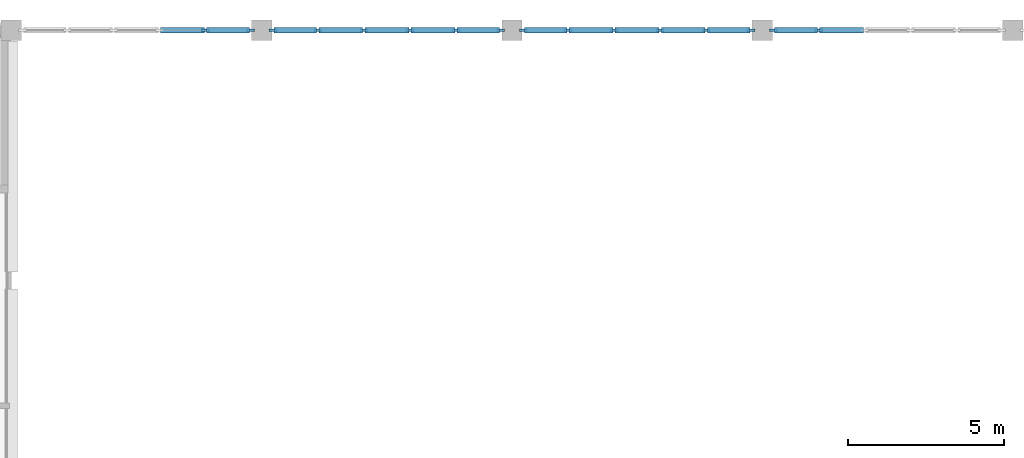
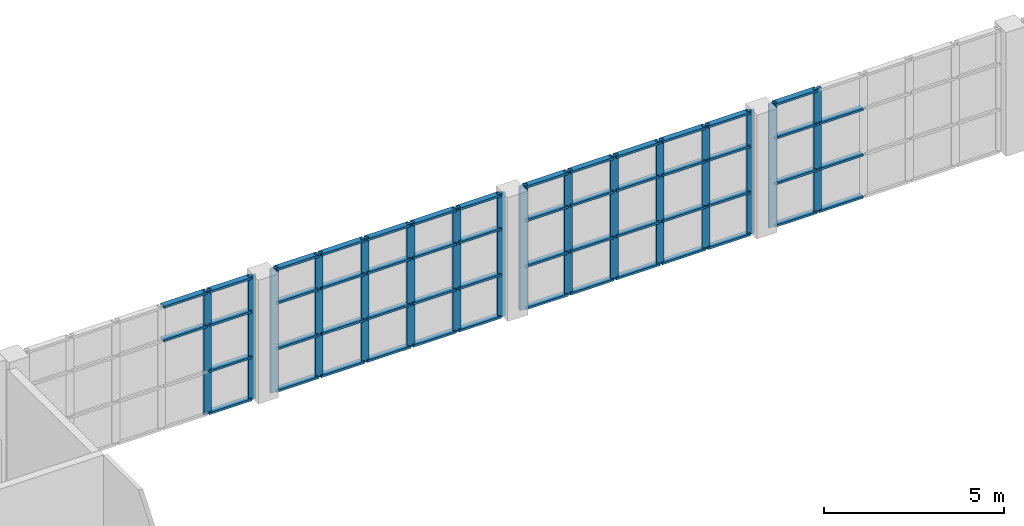
# One storey, part 18 of 66: 69 members, 4 elements without a shape of their own.
"""IFC4 building model written with IfcOpenShell, lengths in metres."""

from ifc_helpers import new_model, si_unit, direction, frame, origin, origin_2d, place, context, subcontext, project, spatial, rectangle, extrude, material, layer, layer_set, material_profile, profile_set, type_object, element, aggregate, save


model = new_model("IFC4")

# Units and contexts
model_context = context("Model", 3, precision=1e-05, world=origin(), true_north=direction((0.0, 1.0)))
body_context = subcontext(model_context, "Body", "Model", "MODEL_VIEW")
ifc_project = project(units=[si_unit("LENGTHUNIT", "METRE"), si_unit("AREAUNIT", "SQUARE_METRE"), si_unit("VOLUMEUNIT", "CUBIC_METRE"), si_unit("PLANEANGLEUNIT", "RADIAN"), si_unit("MASSUNIT", "GRAM", prefix="KILO")], contexts=[model_context])

# Site, building, storey
site_placement = place(None, origin())
site = spatial("IfcSite", under=ifc_project, at=site_placement, CompositionType="ELEMENT")
building_placement = place(site_placement, origin())
building = spatial("IfcBuilding", under=site, at=building_placement, Name="Drelvana Railside Aquatics Centre", CompositionType="ELEMENT")
storey_placement = place(building_placement, frame((0.0, 0.0, 10.199951171875)))
storey = spatial("IfcBuildingStorey", under=building, at=storey_placement, Name="L02", CompositionType="ELEMENT", Elevation=10.199951171875)

# Curtain wall, members
ifc_material_1 = material(Name="Bronze-anodised aluminium curtain wall", Category="aluminium")
ifc_layer = layer(ifc_material_1, 0.219970703125, Name="Bronze-anodised aluminium curtain wall")
ifc_layer_set = layer_set([ifc_layer], Name="Bronze-anodised aluminium curtain wall")
curtain_wall_type = type_object("IfcCurtainWallType", Name="CW-Z3-HIGH", PredefinedType="NOTDEFINED", material=ifc_layer_set)
curtain_wall_1_placement = place(storey_placement, origin())
curtain_wall_1 = element("IfcCurtainWall", 1, at=curtain_wall_1_placement, inside=storey, type_object=curtain_wall_type, Name="Curtain wall CW-03-030", PredefinedType="NOTDEFINED")
ifc_material_2 = material(Name="Bronze-anodised aluminium 6063-T6", Category="aluminium")
ifc_material_profile_1 = material_profile(ifc_material_2, rectangle(XDim=0.080078125, YDim=0.25, at=origin_2d()), Name="ALU-M 80x250")
ifc_profile_set_1 = profile_set([ifc_material_profile_1], Name="Bronze-anodised aluminium 6063-T6")
member_type_1 = type_object("IfcMemberType", Name="CW-Z3-HIGH-MUL", PredefinedType="MULLION", material=ifc_profile_set_1)
member_1_placement = place(storey_placement, frame((38.20849609375, 116.0, -0.005859375), z_axis=(0.0, 0.0, 1.0), x_axis=(0.0, 1.0, 0.0)))
member_1 = element("IfcMember", 2, at=member_1_placement, type_object=member_type_1, Name="CW-03 mullion 5", PredefinedType="MULLION", context=body_context, shape_type="SweptSolid", body=[
    extrude(rectangle(XDim=0.080078125, YDim=0.25, at=origin_2d()), origin(), (0.0, 0.0, 1.0), 4.19580078125),
])
member_2_placement = place(storey_placement, frame((39.64111328125, 116.0, -0.005859375), z_axis=(0.0, 0.0, 1.0), x_axis=(0.0, 1.0, 0.0)))
member_2 = element("IfcMember", 3, at=member_2_placement, type_object=member_type_1, Name="CW-03 mullion 6", PredefinedType="MULLION", context=body_context, shape_type="SweptSolid", body=[
    extrude(rectangle(XDim=0.080078125, YDim=0.25, at=origin_2d()), origin(), (0.0, 0.0, 1.0), 4.19580078125),
])

curtain_wall_2_placement = place(storey_placement, origin())
curtain_wall_2 = element("IfcCurtainWall", 4, at=curtain_wall_2_placement, inside=storey, type_object=curtain_wall_type, Name="Curtain wall CW-03-033", PredefinedType="NOTDEFINED")
member_3_placement = place(storey_placement, frame((40.35888671875, 116.0, -0.005859375), z_axis=(0.0, 0.0, 1.0), x_axis=(0.0, 1.0, 0.0)))
member_3 = element("IfcMember", 5, at=member_3_placement, type_object=member_type_1, Name="CW-03 mullion 1", PredefinedType="MULLION", context=body_context, shape_type="SweptSolid", body=[
    extrude(rectangle(XDim=0.080078125, YDim=0.25, at=origin_2d()), origin(), (0.0, 0.0, 1.0), 4.19580078125),
])
member_4_placement = place(storey_placement, frame((41.79150390625, 116.0, -0.005859375), z_axis=(0.0, 0.0, 1.0), x_axis=(0.0, 1.0, 0.0)))
member_4 = element("IfcMember", 6, at=member_4_placement, type_object=member_type_1, Name="CW-03 mullion 2", PredefinedType="MULLION", context=body_context, shape_type="SweptSolid", body=[
    extrude(rectangle(XDim=0.080078125, YDim=0.25, at=origin_2d()), origin(), (0.0, 0.0, 1.0), 4.19580078125),
])
member_5_placement = place(storey_placement, frame((43.263916015625, 116.0, -0.005859375), z_axis=(0.0, 0.0, 1.0), x_axis=(0.0, 1.0, 0.0)))
member_5 = element("IfcMember", 7, at=member_5_placement, type_object=member_type_1, Name="CW-03 mullion 3", PredefinedType="MULLION", context=body_context, shape_type="SweptSolid", body=[
    extrude(rectangle(XDim=0.080078125, YDim=0.25, at=origin_2d()), origin(), (0.0, 0.0, 1.0), 4.19580078125),
])
member_6_placement = place(storey_placement, frame((44.736083984375, 116.0, -0.005859375), z_axis=(0.0, 0.0, 1.0), x_axis=(0.0, 1.0, 0.0)))
member_6 = element("IfcMember", 8, at=member_6_placement, type_object=member_type_1, Name="CW-03 mullion 4", PredefinedType="MULLION", context=body_context, shape_type="SweptSolid", body=[
    extrude(rectangle(XDim=0.080078125, YDim=0.25, at=origin_2d()), origin(), (0.0, 0.0, 1.0), 4.19580078125),
])
member_7_placement = place(storey_placement, frame((46.20849609375, 116.0, -0.005859375), z_axis=(0.0, 0.0, 1.0), x_axis=(0.0, 1.0, 0.0)))
member_7 = element("IfcMember", 9, at=member_7_placement, type_object=member_type_1, Name="CW-03 mullion 5", PredefinedType="MULLION", context=body_context, shape_type="SweptSolid", body=[
    extrude(rectangle(XDim=0.080078125, YDim=0.25, at=origin_2d()), origin(), (0.0, 0.0, 1.0), 4.19580078125),
])
member_8_placement = place(storey_placement, frame((47.64111328125, 116.0, -0.005859375), z_axis=(0.0, 0.0, 1.0), x_axis=(0.0, 1.0, 0.0)))
member_8 = element("IfcMember", 10, at=member_8_placement, type_object=member_type_1, Name="CW-03 mullion 6", PredefinedType="MULLION", context=body_context, shape_type="SweptSolid", body=[
    extrude(rectangle(XDim=0.080078125, YDim=0.25, at=origin_2d()), origin(), (0.0, 0.0, 1.0), 4.19580078125),
])

curtain_wall_3_placement = place(storey_placement, origin())
curtain_wall_3 = element("IfcCurtainWall", 11, at=curtain_wall_3_placement, inside=storey, type_object=curtain_wall_type, Name="Curtain wall CW-03-036", PredefinedType="NOTDEFINED")
member_9_placement = place(storey_placement, frame((48.35888671875, 116.0, -0.005859375), z_axis=(0.0, 0.0, 1.0), x_axis=(0.0, 1.0, 0.0)))
member_9 = element("IfcMember", 12, at=member_9_placement, type_object=member_type_1, Name="CW-03 mullion 1", PredefinedType="MULLION", context=body_context, shape_type="SweptSolid", body=[
    extrude(rectangle(XDim=0.080078125, YDim=0.25, at=origin_2d()), origin(), (0.0, 0.0, 1.0), 4.19580078125),
])
member_10_placement = place(storey_placement, frame((49.79150390625, 116.0, -0.005859375), z_axis=(0.0, 0.0, 1.0), x_axis=(0.0, 1.0, 0.0)))
member_10 = element("IfcMember", 13, at=member_10_placement, type_object=member_type_1, Name="CW-03 mullion 2", PredefinedType="MULLION", context=body_context, shape_type="SweptSolid", body=[
    extrude(rectangle(XDim=0.080078125, YDim=0.25, at=origin_2d()), origin(), (0.0, 0.0, 1.0), 4.19580078125),
])
member_11_placement = place(storey_placement, frame((51.263916015625, 116.0, -0.005859375), z_axis=(0.0, 0.0, 1.0), x_axis=(0.0, 1.0, 0.0)))
member_11 = element("IfcMember", 14, at=member_11_placement, type_object=member_type_1, Name="CW-03 mullion 3", PredefinedType="MULLION", context=body_context, shape_type="SweptSolid", body=[
    extrude(rectangle(XDim=0.080078125, YDim=0.25, at=origin_2d()), origin(), (0.0, 0.0, 1.0), 4.19580078125),
])
member_12_placement = place(storey_placement, frame((52.736083984375, 116.0, -0.005859375), z_axis=(0.0, 0.0, 1.0), x_axis=(0.0, 1.0, 0.0)))
member_12 = element("IfcMember", 15, at=member_12_placement, type_object=member_type_1, Name="CW-03 mullion 4", PredefinedType="MULLION", context=body_context, shape_type="SweptSolid", body=[
    extrude(rectangle(XDim=0.080078125, YDim=0.25, at=origin_2d()), origin(), (0.0, 0.0, 1.0), 4.19580078125),
])
member_13_placement = place(storey_placement, frame((54.20849609375, 116.0, -0.005859375), z_axis=(0.0, 0.0, 1.0), x_axis=(0.0, 1.0, 0.0)))
member_13 = element("IfcMember", 16, at=member_13_placement, type_object=member_type_1, Name="CW-03 mullion 5", PredefinedType="MULLION", context=body_context, shape_type="SweptSolid", body=[
    extrude(rectangle(XDim=0.080078125, YDim=0.25, at=origin_2d()), origin(), (0.0, 0.0, 1.0), 4.19580078125),
])
member_14_placement = place(storey_placement, frame((55.64111328125, 116.0, -0.005859375), z_axis=(0.0, 0.0, 1.0), x_axis=(0.0, 1.0, 0.0)))
member_14 = element("IfcMember", 17, at=member_14_placement, type_object=member_type_1, Name="CW-03 mullion 6", PredefinedType="MULLION", context=body_context, shape_type="SweptSolid", body=[
    extrude(rectangle(XDim=0.080078125, YDim=0.25, at=origin_2d()), origin(), (0.0, 0.0, 1.0), 4.19580078125),
])

curtain_wall_4_placement = place(storey_placement, origin())
curtain_wall_4 = element("IfcCurtainWall", 18, at=curtain_wall_4_placement, inside=storey, type_object=curtain_wall_type, Name="Curtain wall CW-03-039", PredefinedType="NOTDEFINED")
member_15_placement = place(storey_placement, frame((56.35888671875, 116.0, -0.005859375), z_axis=(0.0, 0.0, 1.0), x_axis=(0.0, 1.0, 0.0)))
member_15 = element("IfcMember", 19, at=member_15_placement, type_object=member_type_1, Name="CW-03 mullion 1", PredefinedType="MULLION", context=body_context, shape_type="SweptSolid", body=[
    extrude(rectangle(XDim=0.080078125, YDim=0.25, at=origin_2d()), origin(), (0.0, 0.0, 1.0), 4.19580078125),
])
member_16_placement = place(storey_placement, frame((57.79150390625, 116.0, -0.005859375), z_axis=(0.0, 0.0, 1.0), x_axis=(0.0, 1.0, 0.0)))
member_16 = element("IfcMember", 20, at=member_16_placement, type_object=member_type_1, Name="CW-03 mullion 2", PredefinedType="MULLION", context=body_context, shape_type="SweptSolid", body=[
    extrude(rectangle(XDim=0.080078125, YDim=0.25, at=origin_2d()), origin(), (0.0, 0.0, 1.0), 4.19580078125),
])

# Member
ifc_material_profile_2 = material_profile(ifc_material_2, rectangle(XDim=0.179931640625, YDim=0.074951171875, at=origin_2d()), Name="ALU-T 75x180")
ifc_profile_set_2 = profile_set([ifc_material_profile_2], Name="Bronze-anodised aluminium 6063-T6")
member_type_2 = type_object("IfcMemberType", Name="CW-Z3-HIGH-TRN", PredefinedType="USERDEFINED", material=ifc_profile_set_2)
member_17_placement = place(storey_placement, frame((36.771240234375, 116.0, 3.01513671875), z_axis=(1.0, 0.0, 0.0), x_axis=(0.0, 1.0, 0.0)))
member_17 = element("IfcMember", 21, at=member_17_placement, type_object=member_type_2, Name="CW-03 transom 4.3", ObjectType="TRANSOM", PredefinedType="USERDEFINED", context=body_context, shape_type="SweptSolid", body=[
    extrude(rectangle(XDim=0.179931640625, YDim=0.074951171875, at=origin_2d()), origin(), (0.0, 0.0, 1.0), 1.40234375),
])

member_18_placement = place(storey_placement, frame((36.771240234375, 116.0, 4.152587890625), z_axis=(1.0, 0.0, 0.0), x_axis=(0.0, 1.0, 0.0)))
member_18 = element("IfcMember", 22, at=member_18_placement, type_object=member_type_2, Name="CW-03 transom 4.4", ObjectType="TRANSOM", PredefinedType="USERDEFINED", context=body_context, shape_type="SweptSolid", body=[
    extrude(rectangle(XDim=0.179931640625, YDim=0.074951171875, at=origin_2d()), origin(), (0.0, 0.0, 1.0), 1.40234375),
])

member_19_placement = place(storey_placement, frame((38.24365234375, 116.0, 0.031494140625), z_axis=(1.0, 0.0, 0.0), x_axis=(0.0, 1.0, 0.0)))
member_19 = element("IfcMember", 23, at=member_19_placement, type_object=member_type_2, Name="CW-03 transom 5.1", ObjectType="TRANSOM", PredefinedType="USERDEFINED", context=body_context, shape_type="SweptSolid", body=[
    extrude(rectangle(XDim=0.179931640625, YDim=0.074951171875, at=origin_2d()), origin(), (0.0, 0.0, 1.0), 1.3623046875),
])

member_20_placement = place(storey_placement, frame((38.24365234375, 116.0, 1.463134765625), z_axis=(1.0, 0.0, 0.0), x_axis=(0.0, 1.0, 0.0)))
member_20 = element("IfcMember", 24, at=member_20_placement, type_object=member_type_2, Name="CW-03 transom 5.2", ObjectType="TRANSOM", PredefinedType="USERDEFINED", context=body_context, shape_type="SweptSolid", body=[
    extrude(rectangle(XDim=0.179931640625, YDim=0.074951171875, at=origin_2d()), origin(), (0.0, 0.0, 1.0), 1.3623046875),
])

member_21_placement = place(storey_placement, frame((38.24365234375, 116.0, 3.01513671875), z_axis=(1.0, 0.0, 0.0), x_axis=(0.0, 1.0, 0.0)))
member_21 = element("IfcMember", 25, at=member_21_placement, type_object=member_type_2, Name="CW-03 transom 5.3", ObjectType="TRANSOM", PredefinedType="USERDEFINED", context=body_context, shape_type="SweptSolid", body=[
    extrude(rectangle(XDim=0.179931640625, YDim=0.074951171875, at=origin_2d()), origin(), (0.0, 0.0, 1.0), 1.3623046875),
])

member_22_placement = place(storey_placement, frame((38.24365234375, 116.0, 4.152587890625), z_axis=(1.0, 0.0, 0.0), x_axis=(0.0, 1.0, 0.0)))
member_22 = element("IfcMember", 26, at=member_22_placement, type_object=member_type_2, Name="CW-03 transom 5.4", ObjectType="TRANSOM", PredefinedType="USERDEFINED", context=body_context, shape_type="SweptSolid", body=[
    extrude(rectangle(XDim=0.179931640625, YDim=0.074951171875, at=origin_2d()), origin(), (0.0, 0.0, 1.0), 1.3623046875),
])

aggregate(curtain_wall_1, [member_1, member_2, member_17, member_18, member_19, member_20, member_21, member_22])

member_23_placement = place(storey_placement, frame((40.39404296875, 116.0, 0.031494140625), z_axis=(1.0, 0.0, 0.0), x_axis=(0.0, 1.0, 0.0)))
member_23 = element("IfcMember", 27, at=member_23_placement, type_object=member_type_2, Name="CW-03 transom 1.1", ObjectType="TRANSOM", PredefinedType="USERDEFINED", context=body_context, shape_type="SweptSolid", body=[
    extrude(rectangle(XDim=0.179931640625, YDim=0.074951171875, at=origin_2d()), origin(), (0.0, 0.0, 1.0), 1.3623046875),
])

member_24_placement = place(storey_placement, frame((40.39404296875, 116.0, 1.463134765625), z_axis=(1.0, 0.0, 0.0), x_axis=(0.0, 1.0, 0.0)))
member_24 = element("IfcMember", 28, at=member_24_placement, type_object=member_type_2, Name="CW-03 transom 1.2", ObjectType="TRANSOM", PredefinedType="USERDEFINED", context=body_context, shape_type="SweptSolid", body=[
    extrude(rectangle(XDim=0.179931640625, YDim=0.074951171875, at=origin_2d()), origin(), (0.0, 0.0, 1.0), 1.3623046875),
])

member_25_placement = place(storey_placement, frame((40.39404296875, 116.0, 3.01513671875), z_axis=(1.0, 0.0, 0.0), x_axis=(0.0, 1.0, 0.0)))
member_25 = element("IfcMember", 29, at=member_25_placement, type_object=member_type_2, Name="CW-03 transom 1.3", ObjectType="TRANSOM", PredefinedType="USERDEFINED", context=body_context, shape_type="SweptSolid", body=[
    extrude(rectangle(XDim=0.179931640625, YDim=0.074951171875, at=origin_2d()), origin(), (0.0, 0.0, 1.0), 1.3623046875),
])

member_26_placement = place(storey_placement, frame((40.39404296875, 116.0, 4.152587890625), z_axis=(1.0, 0.0, 0.0), x_axis=(0.0, 1.0, 0.0)))
member_26 = element("IfcMember", 30, at=member_26_placement, type_object=member_type_2, Name="CW-03 transom 1.4", ObjectType="TRANSOM", PredefinedType="USERDEFINED", context=body_context, shape_type="SweptSolid", body=[
    extrude(rectangle(XDim=0.179931640625, YDim=0.074951171875, at=origin_2d()), origin(), (0.0, 0.0, 1.0), 1.3623046875),
])

member_27_placement = place(storey_placement, frame((41.826416015625, 116.0, 0.031494140625), z_axis=(1.0, 0.0, 0.0), x_axis=(0.0, 1.0, 0.0)))
member_27 = element("IfcMember", 31, at=member_27_placement, type_object=member_type_2, Name="CW-03 transom 2.1", ObjectType="TRANSOM", PredefinedType="USERDEFINED", context=body_context, shape_type="SweptSolid", body=[
    extrude(rectangle(XDim=0.179931640625, YDim=0.074951171875, at=origin_2d()), origin(), (0.0, 0.0, 1.0), 1.40234375),
])

member_28_placement = place(storey_placement, frame((41.826416015625, 116.0, 1.463134765625), z_axis=(1.0, 0.0, 0.0), x_axis=(0.0, 1.0, 0.0)))
member_28 = element("IfcMember", 32, at=member_28_placement, type_object=member_type_2, Name="CW-03 transom 2.2", ObjectType="TRANSOM", PredefinedType="USERDEFINED", context=body_context, shape_type="SweptSolid", body=[
    extrude(rectangle(XDim=0.179931640625, YDim=0.074951171875, at=origin_2d()), origin(), (0.0, 0.0, 1.0), 1.40234375),
])

member_29_placement = place(storey_placement, frame((41.826416015625, 116.0, 3.01513671875), z_axis=(1.0, 0.0, 0.0), x_axis=(0.0, 1.0, 0.0)))
member_29 = element("IfcMember", 33, at=member_29_placement, type_object=member_type_2, Name="CW-03 transom 2.3", ObjectType="TRANSOM", PredefinedType="USERDEFINED", context=body_context, shape_type="SweptSolid", body=[
    extrude(rectangle(XDim=0.179931640625, YDim=0.074951171875, at=origin_2d()), origin(), (0.0, 0.0, 1.0), 1.40234375),
])

member_30_placement = place(storey_placement, frame((41.826416015625, 116.0, 4.152587890625), z_axis=(1.0, 0.0, 0.0), x_axis=(0.0, 1.0, 0.0)))
member_30 = element("IfcMember", 34, at=member_30_placement, type_object=member_type_2, Name="CW-03 transom 2.4", ObjectType="TRANSOM", PredefinedType="USERDEFINED", context=body_context, shape_type="SweptSolid", body=[
    extrude(rectangle(XDim=0.179931640625, YDim=0.074951171875, at=origin_2d()), origin(), (0.0, 0.0, 1.0), 1.40234375),
])

member_31_placement = place(storey_placement, frame((43.298828125, 116.0, 0.031494140625), z_axis=(1.0, 0.0, 0.0), x_axis=(0.0, 1.0, 0.0)))
member_31 = element("IfcMember", 35, at=member_31_placement, type_object=member_type_2, Name="CW-03 transom 3.1", ObjectType="TRANSOM", PredefinedType="USERDEFINED", context=body_context, shape_type="SweptSolid", body=[
    extrude(rectangle(XDim=0.179931640625, YDim=0.074951171875, at=origin_2d()), origin(), (0.0, 0.0, 1.0), 1.40234375),
])

member_32_placement = place(storey_placement, frame((43.298828125, 116.0, 1.463134765625), z_axis=(1.0, 0.0, 0.0), x_axis=(0.0, 1.0, 0.0)))
member_32 = element("IfcMember", 36, at=member_32_placement, type_object=member_type_2, Name="CW-03 transom 3.2", ObjectType="TRANSOM", PredefinedType="USERDEFINED", context=body_context, shape_type="SweptSolid", body=[
    extrude(rectangle(XDim=0.179931640625, YDim=0.074951171875, at=origin_2d()), origin(), (0.0, 0.0, 1.0), 1.40234375),
])

member_33_placement = place(storey_placement, frame((43.298828125, 116.0, 3.01513671875), z_axis=(1.0, 0.0, 0.0), x_axis=(0.0, 1.0, 0.0)))
member_33 = element("IfcMember", 37, at=member_33_placement, type_object=member_type_2, Name="CW-03 transom 3.3", ObjectType="TRANSOM", PredefinedType="USERDEFINED", context=body_context, shape_type="SweptSolid", body=[
    extrude(rectangle(XDim=0.179931640625, YDim=0.074951171875, at=origin_2d()), origin(), (0.0, 0.0, 1.0), 1.40234375),
])

member_34_placement = place(storey_placement, frame((43.298828125, 116.0, 4.152587890625), z_axis=(1.0, 0.0, 0.0), x_axis=(0.0, 1.0, 0.0)))
member_34 = element("IfcMember", 38, at=member_34_placement, type_object=member_type_2, Name="CW-03 transom 3.4", ObjectType="TRANSOM", PredefinedType="USERDEFINED", context=body_context, shape_type="SweptSolid", body=[
    extrude(rectangle(XDim=0.179931640625, YDim=0.074951171875, at=origin_2d()), origin(), (0.0, 0.0, 1.0), 1.40234375),
])

member_35_placement = place(storey_placement, frame((44.771240234375, 116.0, 0.031494140625), z_axis=(1.0, 0.0, 0.0), x_axis=(0.0, 1.0, 0.0)))
member_35 = element("IfcMember", 39, at=member_35_placement, type_object=member_type_2, Name="CW-03 transom 4.1", ObjectType="TRANSOM", PredefinedType="USERDEFINED", context=body_context, shape_type="SweptSolid", body=[
    extrude(rectangle(XDim=0.179931640625, YDim=0.074951171875, at=origin_2d()), origin(), (0.0, 0.0, 1.0), 1.40234375),
])

member_36_placement = place(storey_placement, frame((44.771240234375, 116.0, 1.463134765625), z_axis=(1.0, 0.0, 0.0), x_axis=(0.0, 1.0, 0.0)))
member_36 = element("IfcMember", 40, at=member_36_placement, type_object=member_type_2, Name="CW-03 transom 4.2", ObjectType="TRANSOM", PredefinedType="USERDEFINED", context=body_context, shape_type="SweptSolid", body=[
    extrude(rectangle(XDim=0.179931640625, YDim=0.074951171875, at=origin_2d()), origin(), (0.0, 0.0, 1.0), 1.40234375),
])

member_37_placement = place(storey_placement, frame((44.771240234375, 116.0, 3.01513671875), z_axis=(1.0, 0.0, 0.0), x_axis=(0.0, 1.0, 0.0)))
member_37 = element("IfcMember", 41, at=member_37_placement, type_object=member_type_2, Name="CW-03 transom 4.3", ObjectType="TRANSOM", PredefinedType="USERDEFINED", context=body_context, shape_type="SweptSolid", body=[
    extrude(rectangle(XDim=0.179931640625, YDim=0.074951171875, at=origin_2d()), origin(), (0.0, 0.0, 1.0), 1.40234375),
])

member_38_placement = place(storey_placement, frame((44.771240234375, 116.0, 4.152587890625), z_axis=(1.0, 0.0, 0.0), x_axis=(0.0, 1.0, 0.0)))
member_38 = element("IfcMember", 42, at=member_38_placement, type_object=member_type_2, Name="CW-03 transom 4.4", ObjectType="TRANSOM", PredefinedType="USERDEFINED", context=body_context, shape_type="SweptSolid", body=[
    extrude(rectangle(XDim=0.179931640625, YDim=0.074951171875, at=origin_2d()), origin(), (0.0, 0.0, 1.0), 1.40234375),
])

member_39_placement = place(storey_placement, frame((46.24365234375, 116.0, 0.031494140625), z_axis=(1.0, 0.0, 0.0), x_axis=(0.0, 1.0, 0.0)))
member_39 = element("IfcMember", 43, at=member_39_placement, type_object=member_type_2, Name="CW-03 transom 5.1", ObjectType="TRANSOM", PredefinedType="USERDEFINED", context=body_context, shape_type="SweptSolid", body=[
    extrude(rectangle(XDim=0.179931640625, YDim=0.074951171875, at=origin_2d()), origin(), (0.0, 0.0, 1.0), 1.3623046875),
])

member_40_placement = place(storey_placement, frame((46.24365234375, 116.0, 1.463134765625), z_axis=(1.0, 0.0, 0.0), x_axis=(0.0, 1.0, 0.0)))
member_40 = element("IfcMember", 44, at=member_40_placement, type_object=member_type_2, Name="CW-03 transom 5.2", ObjectType="TRANSOM", PredefinedType="USERDEFINED", context=body_context, shape_type="SweptSolid", body=[
    extrude(rectangle(XDim=0.179931640625, YDim=0.074951171875, at=origin_2d()), origin(), (0.0, 0.0, 1.0), 1.3623046875),
])

member_41_placement = place(storey_placement, frame((46.24365234375, 116.0, 3.01513671875), z_axis=(1.0, 0.0, 0.0), x_axis=(0.0, 1.0, 0.0)))
member_41 = element("IfcMember", 45, at=member_41_placement, type_object=member_type_2, Name="CW-03 transom 5.3", ObjectType="TRANSOM", PredefinedType="USERDEFINED", context=body_context, shape_type="SweptSolid", body=[
    extrude(rectangle(XDim=0.179931640625, YDim=0.074951171875, at=origin_2d()), origin(), (0.0, 0.0, 1.0), 1.3623046875),
])

member_42_placement = place(storey_placement, frame((46.24365234375, 116.0, 4.152587890625), z_axis=(1.0, 0.0, 0.0), x_axis=(0.0, 1.0, 0.0)))
member_42 = element("IfcMember", 46, at=member_42_placement, type_object=member_type_2, Name="CW-03 transom 5.4", ObjectType="TRANSOM", PredefinedType="USERDEFINED", context=body_context, shape_type="SweptSolid", body=[
    extrude(rectangle(XDim=0.179931640625, YDim=0.074951171875, at=origin_2d()), origin(), (0.0, 0.0, 1.0), 1.3623046875),
])

aggregate(curtain_wall_2, [member_3, member_4, member_5, member_6, member_7, member_8, member_23, member_24, member_25, member_26, member_27, member_28, member_29, member_30, member_31, member_32, member_33, member_34, member_35, member_36, member_37, member_38, member_39, member_40, member_41, member_42])

member_43_placement = place(storey_placement, frame((48.39404296875, 116.0, 0.031494140625), z_axis=(1.0, 0.0, 0.0), x_axis=(0.0, 1.0, 0.0)))
member_43 = element("IfcMember", 47, at=member_43_placement, type_object=member_type_2, Name="CW-03 transom 1.1", ObjectType="TRANSOM", PredefinedType="USERDEFINED", context=body_context, shape_type="SweptSolid", body=[
    extrude(rectangle(XDim=0.179931640625, YDim=0.074951171875, at=origin_2d()), origin(), (0.0, 0.0, 1.0), 1.3623046875),
])

member_44_placement = place(storey_placement, frame((48.39404296875, 116.0, 1.463134765625), z_axis=(1.0, 0.0, 0.0), x_axis=(0.0, 1.0, 0.0)))
member_44 = element("IfcMember", 48, at=member_44_placement, type_object=member_type_2, Name="CW-03 transom 1.2", ObjectType="TRANSOM", PredefinedType="USERDEFINED", context=body_context, shape_type="SweptSolid", body=[
    extrude(rectangle(XDim=0.179931640625, YDim=0.074951171875, at=origin_2d()), origin(), (0.0, 0.0, 1.0), 1.3623046875),
])

member_45_placement = place(storey_placement, frame((48.39404296875, 116.0, 3.01513671875), z_axis=(1.0, 0.0, 0.0), x_axis=(0.0, 1.0, 0.0)))
member_45 = element("IfcMember", 49, at=member_45_placement, type_object=member_type_2, Name="CW-03 transom 1.3", ObjectType="TRANSOM", PredefinedType="USERDEFINED", context=body_context, shape_type="SweptSolid", body=[
    extrude(rectangle(XDim=0.179931640625, YDim=0.074951171875, at=origin_2d()), origin(), (0.0, 0.0, 1.0), 1.3623046875),
])

member_46_placement = place(storey_placement, frame((48.39404296875, 116.0, 4.152587890625), z_axis=(1.0, 0.0, 0.0), x_axis=(0.0, 1.0, 0.0)))
member_46 = element("IfcMember", 50, at=member_46_placement, type_object=member_type_2, Name="CW-03 transom 1.4", ObjectType="TRANSOM", PredefinedType="USERDEFINED", context=body_context, shape_type="SweptSolid", body=[
    extrude(rectangle(XDim=0.179931640625, YDim=0.074951171875, at=origin_2d()), origin(), (0.0, 0.0, 1.0), 1.3623046875),
])

member_47_placement = place(storey_placement, frame((49.826416015625, 116.0, 0.031494140625), z_axis=(1.0, 0.0, 0.0), x_axis=(0.0, 1.0, 0.0)))
member_47 = element("IfcMember", 51, at=member_47_placement, type_object=member_type_2, Name="CW-03 transom 2.1", ObjectType="TRANSOM", PredefinedType="USERDEFINED", context=body_context, shape_type="SweptSolid", body=[
    extrude(rectangle(XDim=0.179931640625, YDim=0.074951171875, at=origin_2d()), origin(), (0.0, 0.0, 1.0), 1.40234375),
])

member_48_placement = place(storey_placement, frame((49.826416015625, 116.0, 1.463134765625), z_axis=(1.0, 0.0, 0.0), x_axis=(0.0, 1.0, 0.0)))
member_48 = element("IfcMember", 52, at=member_48_placement, type_object=member_type_2, Name="CW-03 transom 2.2", ObjectType="TRANSOM", PredefinedType="USERDEFINED", context=body_context, shape_type="SweptSolid", body=[
    extrude(rectangle(XDim=0.179931640625, YDim=0.074951171875, at=origin_2d()), origin(), (0.0, 0.0, 1.0), 1.40234375),
])

member_49_placement = place(storey_placement, frame((49.826416015625, 116.0, 3.01513671875), z_axis=(1.0, 0.0, 0.0), x_axis=(0.0, 1.0, 0.0)))
member_49 = element("IfcMember", 53, at=member_49_placement, type_object=member_type_2, Name="CW-03 transom 2.3", ObjectType="TRANSOM", PredefinedType="USERDEFINED", context=body_context, shape_type="SweptSolid", body=[
    extrude(rectangle(XDim=0.179931640625, YDim=0.074951171875, at=origin_2d()), origin(), (0.0, 0.0, 1.0), 1.40234375),
])

member_50_placement = place(storey_placement, frame((49.826416015625, 116.0, 4.152587890625), z_axis=(1.0, 0.0, 0.0), x_axis=(0.0, 1.0, 0.0)))
member_50 = element("IfcMember", 54, at=member_50_placement, type_object=member_type_2, Name="CW-03 transom 2.4", ObjectType="TRANSOM", PredefinedType="USERDEFINED", context=body_context, shape_type="SweptSolid", body=[
    extrude(rectangle(XDim=0.179931640625, YDim=0.074951171875, at=origin_2d()), origin(), (0.0, 0.0, 1.0), 1.40234375),
])

member_51_placement = place(storey_placement, frame((51.298828125, 116.0, 0.031494140625), z_axis=(1.0, 0.0, 0.0), x_axis=(0.0, 1.0, 0.0)))
member_51 = element("IfcMember", 55, at=member_51_placement, type_object=member_type_2, Name="CW-03 transom 3.1", ObjectType="TRANSOM", PredefinedType="USERDEFINED", context=body_context, shape_type="SweptSolid", body=[
    extrude(rectangle(XDim=0.179931640625, YDim=0.074951171875, at=origin_2d()), origin(), (0.0, 0.0, 1.0), 1.40234375),
])

member_52_placement = place(storey_placement, frame((51.298828125, 116.0, 1.463134765625), z_axis=(1.0, 0.0, 0.0), x_axis=(0.0, 1.0, 0.0)))
member_52 = element("IfcMember", 56, at=member_52_placement, type_object=member_type_2, Name="CW-03 transom 3.2", ObjectType="TRANSOM", PredefinedType="USERDEFINED", context=body_context, shape_type="SweptSolid", body=[
    extrude(rectangle(XDim=0.179931640625, YDim=0.074951171875, at=origin_2d()), origin(), (0.0, 0.0, 1.0), 1.40234375),
])

member_53_placement = place(storey_placement, frame((51.298828125, 116.0, 3.01513671875), z_axis=(1.0, 0.0, 0.0), x_axis=(0.0, 1.0, 0.0)))
member_53 = element("IfcMember", 57, at=member_53_placement, type_object=member_type_2, Name="CW-03 transom 3.3", ObjectType="TRANSOM", PredefinedType="USERDEFINED", context=body_context, shape_type="SweptSolid", body=[
    extrude(rectangle(XDim=0.179931640625, YDim=0.074951171875, at=origin_2d()), origin(), (0.0, 0.0, 1.0), 1.40234375),
])

member_54_placement = place(storey_placement, frame((51.298828125, 116.0, 4.152587890625), z_axis=(1.0, 0.0, 0.0), x_axis=(0.0, 1.0, 0.0)))
member_54 = element("IfcMember", 58, at=member_54_placement, type_object=member_type_2, Name="CW-03 transom 3.4", ObjectType="TRANSOM", PredefinedType="USERDEFINED", context=body_context, shape_type="SweptSolid", body=[
    extrude(rectangle(XDim=0.179931640625, YDim=0.074951171875, at=origin_2d()), origin(), (0.0, 0.0, 1.0), 1.40234375),
])

member_55_placement = place(storey_placement, frame((52.771240234375, 116.0, 0.031494140625), z_axis=(1.0, 0.0, 0.0), x_axis=(0.0, 1.0, 0.0)))
member_55 = element("IfcMember", 59, at=member_55_placement, type_object=member_type_2, Name="CW-03 transom 4.1", ObjectType="TRANSOM", PredefinedType="USERDEFINED", context=body_context, shape_type="SweptSolid", body=[
    extrude(rectangle(XDim=0.179931640625, YDim=0.074951171875, at=origin_2d()), origin(), (0.0, 0.0, 1.0), 1.40234375),
])

member_56_placement = place(storey_placement, frame((52.771240234375, 116.0, 1.463134765625), z_axis=(1.0, 0.0, 0.0), x_axis=(0.0, 1.0, 0.0)))
member_56 = element("IfcMember", 60, at=member_56_placement, type_object=member_type_2, Name="CW-03 transom 4.2", ObjectType="TRANSOM", PredefinedType="USERDEFINED", context=body_context, shape_type="SweptSolid", body=[
    extrude(rectangle(XDim=0.179931640625, YDim=0.074951171875, at=origin_2d()), origin(), (0.0, 0.0, 1.0), 1.40234375),
])

member_57_placement = place(storey_placement, frame((52.771240234375, 116.0, 3.01513671875), z_axis=(1.0, 0.0, 0.0), x_axis=(0.0, 1.0, 0.0)))
member_57 = element("IfcMember", 61, at=member_57_placement, type_object=member_type_2, Name="CW-03 transom 4.3", ObjectType="TRANSOM", PredefinedType="USERDEFINED", context=body_context, shape_type="SweptSolid", body=[
    extrude(rectangle(XDim=0.179931640625, YDim=0.074951171875, at=origin_2d()), origin(), (0.0, 0.0, 1.0), 1.40234375),
])

member_58_placement = place(storey_placement, frame((52.771240234375, 116.0, 4.152587890625), z_axis=(1.0, 0.0, 0.0), x_axis=(0.0, 1.0, 0.0)))
member_58 = element("IfcMember", 62, at=member_58_placement, type_object=member_type_2, Name="CW-03 transom 4.4", ObjectType="TRANSOM", PredefinedType="USERDEFINED", context=body_context, shape_type="SweptSolid", body=[
    extrude(rectangle(XDim=0.179931640625, YDim=0.074951171875, at=origin_2d()), origin(), (0.0, 0.0, 1.0), 1.40234375),
])

member_59_placement = place(storey_placement, frame((54.24365234375, 116.0, 0.031494140625), z_axis=(1.0, 0.0, 0.0), x_axis=(0.0, 1.0, 0.0)))
member_59 = element("IfcMember", 63, at=member_59_placement, type_object=member_type_2, Name="CW-03 transom 5.1", ObjectType="TRANSOM", PredefinedType="USERDEFINED", context=body_context, shape_type="SweptSolid", body=[
    extrude(rectangle(XDim=0.179931640625, YDim=0.074951171875, at=origin_2d()), origin(), (0.0, 0.0, 1.0), 1.3623046875),
])

member_60_placement = place(storey_placement, frame((54.24365234375, 116.0, 1.463134765625), z_axis=(1.0, 0.0, 0.0), x_axis=(0.0, 1.0, 0.0)))
member_60 = element("IfcMember", 64, at=member_60_placement, type_object=member_type_2, Name="CW-03 transom 5.2", ObjectType="TRANSOM", PredefinedType="USERDEFINED", context=body_context, shape_type="SweptSolid", body=[
    extrude(rectangle(XDim=0.179931640625, YDim=0.074951171875, at=origin_2d()), origin(), (0.0, 0.0, 1.0), 1.3623046875),
])

member_61_placement = place(storey_placement, frame((54.24365234375, 116.0, 3.01513671875), z_axis=(1.0, 0.0, 0.0), x_axis=(0.0, 1.0, 0.0)))
member_61 = element("IfcMember", 65, at=member_61_placement, type_object=member_type_2, Name="CW-03 transom 5.3", ObjectType="TRANSOM", PredefinedType="USERDEFINED", context=body_context, shape_type="SweptSolid", body=[
    extrude(rectangle(XDim=0.179931640625, YDim=0.074951171875, at=origin_2d()), origin(), (0.0, 0.0, 1.0), 1.3623046875),
])

member_62_placement = place(storey_placement, frame((54.24365234375, 116.0, 4.152587890625), z_axis=(1.0, 0.0, 0.0), x_axis=(0.0, 1.0, 0.0)))
member_62 = element("IfcMember", 66, at=member_62_placement, type_object=member_type_2, Name="CW-03 transom 5.4", ObjectType="TRANSOM", PredefinedType="USERDEFINED", context=body_context, shape_type="SweptSolid", body=[
    extrude(rectangle(XDim=0.179931640625, YDim=0.074951171875, at=origin_2d()), origin(), (0.0, 0.0, 1.0), 1.3623046875),
])

aggregate(curtain_wall_3, [member_9, member_10, member_11, member_12, member_13, member_14, member_43, member_44, member_45, member_46, member_47, member_48, member_49, member_50, member_51, member_52, member_53, member_54, member_55, member_56, member_57, member_58, member_59, member_60, member_61, member_62])

member_63_placement = place(storey_placement, frame((56.39404296875, 116.0, 0.031494140625), z_axis=(1.0, 0.0, 0.0), x_axis=(0.0, 1.0, 0.0)))
member_63 = element("IfcMember", 67, at=member_63_placement, type_object=member_type_2, Name="CW-03 transom 1.1", ObjectType="TRANSOM", PredefinedType="USERDEFINED", context=body_context, shape_type="SweptSolid", body=[
    extrude(rectangle(XDim=0.179931640625, YDim=0.074951171875, at=origin_2d()), origin(), (0.0, 0.0, 1.0), 1.3623046875),
])

member_64_placement = place(storey_placement, frame((56.39404296875, 116.0, 1.463134765625), z_axis=(1.0, 0.0, 0.0), x_axis=(0.0, 1.0, 0.0)))
member_64 = element("IfcMember", 68, at=member_64_placement, type_object=member_type_2, Name="CW-03 transom 1.2", ObjectType="TRANSOM", PredefinedType="USERDEFINED", context=body_context, shape_type="SweptSolid", body=[
    extrude(rectangle(XDim=0.179931640625, YDim=0.074951171875, at=origin_2d()), origin(), (0.0, 0.0, 1.0), 1.3623046875),
])

member_65_placement = place(storey_placement, frame((56.39404296875, 116.0, 3.01513671875), z_axis=(1.0, 0.0, 0.0), x_axis=(0.0, 1.0, 0.0)))
member_65 = element("IfcMember", 69, at=member_65_placement, type_object=member_type_2, Name="CW-03 transom 1.3", ObjectType="TRANSOM", PredefinedType="USERDEFINED", context=body_context, shape_type="SweptSolid", body=[
    extrude(rectangle(XDim=0.179931640625, YDim=0.074951171875, at=origin_2d()), origin(), (0.0, 0.0, 1.0), 1.3623046875),
])

member_66_placement = place(storey_placement, frame((56.39404296875, 116.0, 4.152587890625), z_axis=(1.0, 0.0, 0.0), x_axis=(0.0, 1.0, 0.0)))
member_66 = element("IfcMember", 70, at=member_66_placement, type_object=member_type_2, Name="CW-03 transom 1.4", ObjectType="TRANSOM", PredefinedType="USERDEFINED", context=body_context, shape_type="SweptSolid", body=[
    extrude(rectangle(XDim=0.179931640625, YDim=0.074951171875, at=origin_2d()), origin(), (0.0, 0.0, 1.0), 1.3623046875),
])

member_67_placement = place(storey_placement, frame((57.826416015625, 116.0, 0.031494140625), z_axis=(1.0, 0.0, 0.0), x_axis=(0.0, 1.0, 0.0)))
member_67 = element("IfcMember", 71, at=member_67_placement, type_object=member_type_2, Name="CW-03 transom 2.1", ObjectType="TRANSOM", PredefinedType="USERDEFINED", context=body_context, shape_type="SweptSolid", body=[
    extrude(rectangle(XDim=0.179931640625, YDim=0.074951171875, at=origin_2d()), origin(), (0.0, 0.0, 1.0), 1.40234375),
])

member_68_placement = place(storey_placement, frame((57.826416015625, 116.0, 1.463134765625), z_axis=(1.0, 0.0, 0.0), x_axis=(0.0, 1.0, 0.0)))
member_68 = element("IfcMember", 72, at=member_68_placement, type_object=member_type_2, Name="CW-03 transom 2.2", ObjectType="TRANSOM", PredefinedType="USERDEFINED", context=body_context, shape_type="SweptSolid", body=[
    extrude(rectangle(XDim=0.179931640625, YDim=0.074951171875, at=origin_2d()), origin(), (0.0, 0.0, 1.0), 1.40234375),
])

member_69_placement = place(storey_placement, frame((57.826416015625, 116.0, 3.01513671875), z_axis=(1.0, 0.0, 0.0), x_axis=(0.0, 1.0, 0.0)))
member_69 = element("IfcMember", 73, at=member_69_placement, type_object=member_type_2, Name="CW-03 transom 2.3", ObjectType="TRANSOM", PredefinedType="USERDEFINED", context=body_context, shape_type="SweptSolid", body=[
    extrude(rectangle(XDim=0.179931640625, YDim=0.074951171875, at=origin_2d()), origin(), (0.0, 0.0, 1.0), 1.40234375),
])

aggregate(curtain_wall_4, [member_15, member_16, member_63, member_64, member_65, member_66, member_67, member_68, member_69])

save(model, "model.ifc")
